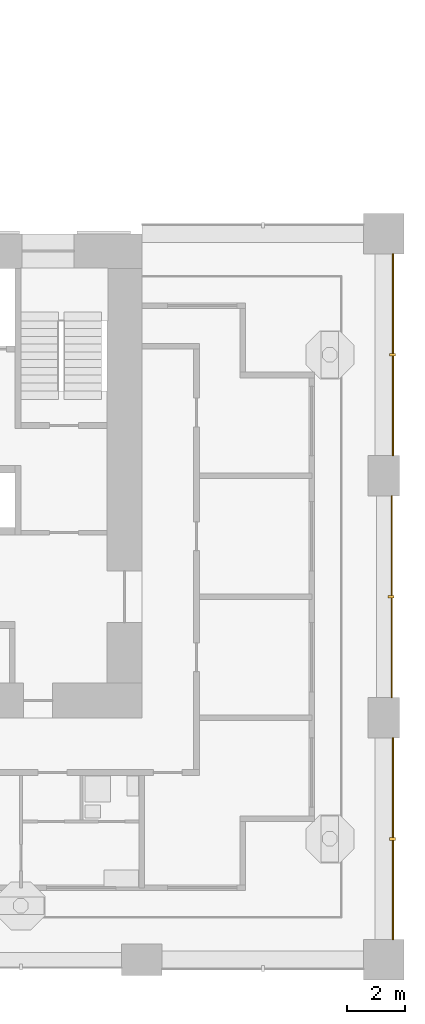
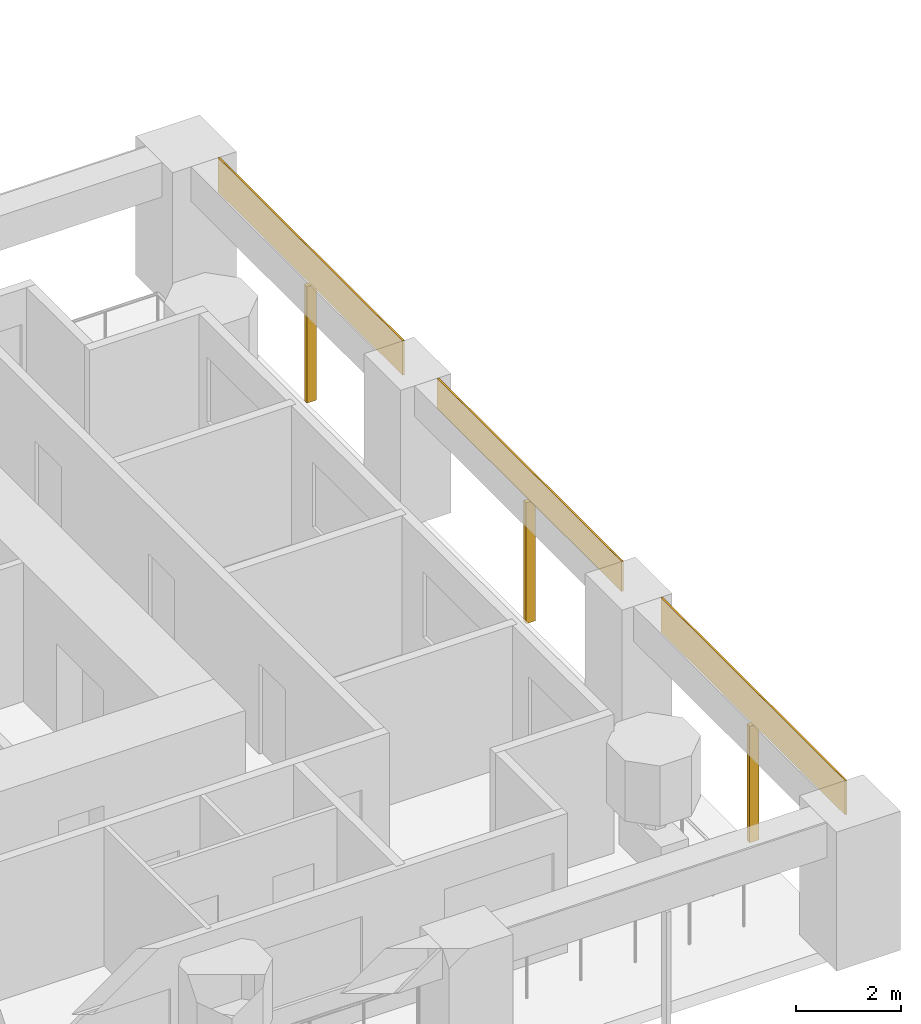
# One storey, part 16 of 19: 6 shading devices.
"""IFC4 building model written with IfcOpenShell, lengths in metres."""

import ifcopenshell
import ifcopenshell.guid

model = None  # the IFC model being written
_history = None  # IfcOwnerHistory: only IFC2X3 demands one
_inside = {}  # id of a spatial element -> (the spatial element, [elements in it])
_under = {}  # id of a project, library or spatial element -> (it, [spatial elements below it])
_declared = {}  # id of a project -> (the project, [libraries it declares])
_typed = {}  # id of a type object -> (the type object, [elements of that type])
_made_of = {}  # id of a material, layer set ... -> (it, [elements and type objects made of it])


def new_model(schema):
    """Start an empty IFC model of exactly this schema.

    Asked for "IFC4X3", IfcOpenShell would pick the latest addendum, in which some entities
    have other attributes; the version numbers below select the first issue.
    IFC2X3 requires an IfcOwnerHistory on every rooted entity: one is made here for all.
    """
    global model, _history
    if schema == "IFC4X3":
        model = ifcopenshell.file(schema_version=(4, 3, 0, 0))
    else:
        model = ifcopenshell.file(schema=schema)
    _inside.clear()
    _under.clear()
    _declared.clear()
    _typed.clear()
    _made_of.clear()
    _history = None
    if model.schema == "IFC2X3":
        org = make("IfcOrganization", Name="unknown")
        user = make(
            "IfcPersonAndOrganization",
            ThePerson=make("IfcPerson", FamilyName="unknown"),
            TheOrganization=org,
        )
        app = make(
            "IfcApplication",
            ApplicationDeveloper=org,
            Version="unknown",
            ApplicationFullName="unknown",
            ApplicationIdentifier="unknown",
        )
        _history = make(
            "IfcOwnerHistory",
            OwningUser=user,
            OwningApplication=app,
            ChangeAction="ADDED",
            CreationDate=0,
        )
    return model


def make(cls, **values):
    """One entity of the class cls with the attributes given. An attribute that is None is left unset."""
    return model.create_entity(
        cls, **{name: value for name, value in values.items() if value is not None}
    )


def rooted(cls, **values):
    """An entity with a GlobalId (a new one), such as an element, a storey or a relation."""
    return make(cls, GlobalId=ifcopenshell.guid.new(), OwnerHistory=_history, **values)


def si_unit(unit_type, name, prefix=None):
    """IfcSIUnit, for example si_unit("LENGTHUNIT", "METRE", prefix="MILLI")."""
    return make("IfcSIUnit", UnitType=unit_type, Prefix=prefix, Name=name)


def assignment(units):
    """IfcUnitAssignment: the units of a project."""
    return None if units is None else make("IfcUnitAssignment", Units=units)


def point(xyz):
    """IfcCartesianPoint."""
    return None if xyz is None else make("IfcCartesianPoint", Coordinates=xyz)


def direction(xyz):
    """IfcDirection."""
    return None if xyz is None else make("IfcDirection", DirectionRatios=xyz)


def frame(location, z_axis=None, x_axis=None):
    """IfcAxis2Placement3D, a coordinate frame: its origin and axes. An axis left out is left unset."""
    return make(
        "IfcAxis2Placement3D",
        Location=point(location),
        Axis=direction(z_axis),
        RefDirection=direction(x_axis),
    )


def frame_2d(location, x_axis=None):
    """IfcAxis2Placement2D, a coordinate frame in the plane: its origin and x axis."""
    return make(
        "IfcAxis2Placement2D", Location=point(location), RefDirection=direction(x_axis)
    )


def origin():
    """The frame at (0, 0, 0) with its axes left unset."""
    return frame((0.0, 0.0, 0.0))


def origin_2d():
    """The frame at (0, 0) in the plane with its x axis left unset."""
    return frame_2d((0.0, 0.0))


def place(relative_to, where):
    """IfcLocalPlacement: puts the frame where relative to a parent placement (None: the world)."""
    return make(
        "IfcLocalPlacement", PlacementRelTo=relative_to, RelativePlacement=where
    )


def context(
    kind, dimensions, precision=None, world=None, true_north=None, identifier=None
):
    """IfcGeometricRepresentationContext, for example the 3D "Model" context."""
    return make(
        "IfcGeometricRepresentationContext",
        ContextIdentifier=identifier,
        ContextType=kind,
        CoordinateSpaceDimension=dimensions,
        Precision=precision,
        WorldCoordinateSystem=world,
        TrueNorth=true_north,
    )


def subcontext(parent, identifier, kind, view, scale=None):
    """IfcGeometricRepresentationSubContext, for example "Body" below "Model"."""
    return make(
        "IfcGeometricRepresentationSubContext",
        ContextIdentifier=identifier,
        ContextType=kind,
        ParentContext=parent,
        TargetScale=scale,
        TargetView=view,
    )


def project(units=None, contexts=None):
    """IfcProject with its units and contexts."""
    return rooted(
        "IfcProject",
        Name="project",
        RepresentationContexts=contexts,
        UnitsInContext=assignment(units),
    )


def spatial(cls, under=None, at=None, **own):
    """A site, building, storey or space (cls), placed at a placement, below another one or the project."""
    s = rooted(cls, ObjectPlacement=at, **own)
    if under is not None:
        _under.setdefault(under.id(), (under, []))[1].append(s)
    return s


def profile(cls, at=None, kind="AREA", **sizes):
    """A parametric profile (cls). Its sizes go by their IFC names, for example OverallWidth=200.0."""
    return make(cls, ProfileType=kind, Position=at, **sizes)


def rectangle(**sizes):
    """IfcRectangleProfileDef."""
    return profile("IfcRectangleProfileDef", **sizes)


def extrude(swept, where, along, depth):
    """IfcExtrudedAreaSolid: the profile swept, set in the frame where, extruded along a direction by depth."""
    return make(
        "IfcExtrudedAreaSolid",
        SweptArea=swept,
        Position=where,
        ExtrudedDirection=direction(along),
        Depth=depth,
    )


def shape(context_of_items, identifier, shape_type, items):
    """IfcShapeRepresentation: the items that make up one representation, for example the "Body"."""
    return make(
        "IfcShapeRepresentation",
        ContextOfItems=context_of_items,
        RepresentationIdentifier=identifier,
        RepresentationType=shape_type,
        Items=items,
    )


def material(Name=None, Category=None):
    """IfcMaterial."""
    return make("IfcMaterial", Name=Name, Category=Category)


def layer(
    of_material, thickness, ventilated=None, Name=None, Category=None, Priority=None
):
    """IfcMaterialLayer: one layer of a wall or slab, of a material (None: an air gap)."""
    return make(
        "IfcMaterialLayer",
        Material=of_material,
        LayerThickness=thickness,
        IsVentilated=ventilated,
        Name=Name,
        Category=Category,
        Priority=Priority,
    )


def layer_set(layers, Name=None):
    """IfcMaterialLayerSet."""
    return make("IfcMaterialLayerSet", MaterialLayers=layers, LayerSetName=Name)


def material_profile(
    of_material, cross_section, Name=None, Category=None, Priority=None
):
    """IfcMaterialProfile: a cross section and its material."""
    return make(
        "IfcMaterialProfile",
        Name=Name,
        Material=of_material,
        Profile=cross_section,
        Priority=Priority,
        Category=Category,
    )


def profile_set(profiles, Name=None, composite=None):
    """IfcMaterialProfileSet."""
    return make(
        "IfcMaterialProfileSet",
        Name=Name,
        MaterialProfiles=profiles,
        CompositeProfile=composite,
    )


def made_of(thing, what):
    """Note that an element or type object is made of a material, layer set ...; save() writes the relation."""
    if what is not None:
        _made_of.setdefault(what.id(), (what, []))[1].append(thing)
    return thing


def type_object(cls, material=None, **own):
    """A type object (cls), such as IfcWallType, which elements share."""
    return made_of(rooted(cls, **own), material)


def element(
    cls,
    number,
    at=None,
    inside=None,
    cuts=None,
    type_object=None,
    material=None,
    context=None,
    identifier="Body",
    shape_type=None,
    held_by="IfcProductDefinitionShape",
    body=None,
    shapes=None,
    **own,
):
    """One element of the class cls, such as IfcWall. Its Tag is "e" and its number.

    at: its placement. inside: the storey or other place that contains it. cuts: it is an
    opening in that element (IfcRelVoidsElement). A single representation is given by context,
    identifier, shape_type and body (its items); several are given by shapes. held_by: the class
    of the entity that holds the representations. save() writes the other relations.
    """
    e = rooted(cls, Tag="e%d" % number, ObjectPlacement=at, **own)
    if body is not None:
        shapes = [shape(context, identifier, shape_type, body)]
    if shapes is not None:
        e.Representation = make(held_by, Representations=shapes)
    if inside is not None:
        _inside.setdefault(inside.id(), (inside, []))[1].append(e)
    if cuts is not None:
        rooted(
            "IfcRelVoidsElement", RelatingBuildingElement=cuts, RelatedOpeningElement=e
        )
    if type_object is not None:
        _typed.setdefault(type_object.id(), (type_object, []))[1].append(e)
    return made_of(e, material)


def aggregate(whole, parts):
    """IfcRelAggregates: a whole, such as a stair, and the parts it consists of."""
    return rooted("IfcRelAggregates", RelatingObject=whole, RelatedObjects=parts)


def save(model, path):
    """Write the relations noted so far, then the file.

    IfcRelAggregates (storeys below a building ...), IfcRelContainedInSpatialStructure (elements
    in a storey), IfcRelDefinesByType, IfcRelAssociatesMaterial and IfcRelDeclares: one each for
    every whole, place, type object, material and project.
    """
    for whole, parts in _under.values():
        aggregate(whole, parts)
    for where, things in _inside.values():
        rooted(
            "IfcRelContainedInSpatialStructure",
            RelatedElements=things,
            RelatingStructure=where,
        )
    for kind, things in _typed.values():
        rooted("IfcRelDefinesByType", RelatedObjects=things, RelatingType=kind)
    for what, things in _made_of.values():
        rooted("IfcRelAssociatesMaterial", RelatedObjects=things, RelatingMaterial=what)
    for by, libraries in _declared.values():
        rooted("IfcRelDeclares", RelatingContext=by, RelatedDefinitions=libraries)
    model.write(path)


model = new_model("IFC4")

# Units and contexts
model_context = context("Model", 3, precision=1e-05, world=origin(), true_north=direction((0.0, 1.0)))
body_context = subcontext(model_context, "Body", "Model", "MODEL_VIEW")
ifc_project = project(units=[si_unit("LENGTHUNIT", "METRE"), si_unit("AREAUNIT", "SQUARE_METRE"), si_unit("VOLUMEUNIT", "CUBIC_METRE"), si_unit("PLANEANGLEUNIT", "RADIAN"), si_unit("MASSUNIT", "GRAM", prefix="KILO")], contexts=[model_context])

# Site, building, storey
site_placement = place(None, origin())
site = spatial("IfcSite", under=ifc_project, at=site_placement, CompositionType="ELEMENT")
building_placement = place(site_placement, origin())
building = spatial("IfcBuilding", under=site, at=building_placement, Name="Vermilion Gate Residences", CompositionType="ELEMENT")
storey_placement = place(building_placement, frame((0.0, 0.0, 28.699951171875)))
storey = spatial("IfcBuildingStorey", under=building, at=storey_placement, Name="L05", CompositionType="ELEMENT", Elevation=28.699951171875)

# Shading devices
ifc_material_1 = material(Name="Perforated terracotta", Category="masonry")
ifc_layer = layer(ifc_material_1, 0.0400390625)
ifc_layer_set = layer_set([ifc_layer], Name="PERFORATED TERRACOTTA SCREEN 40")
shading_device_type_1 = type_object("IfcShadingDeviceType", Name="PERFORATED TERRACOTTA SCREEN 40", PredefinedType="SHUTTER", material=ifc_layer_set)
shading_device_1_placement = place(storey_placement, frame((67.52001953125, 4.199951171875, 2.419921875), z_axis=(0.0, 0.0, 1.0), x_axis=(0.0, 1.0, 0.0)))
element("IfcShadingDevice", 1, at=shading_device_1_placement, inside=storey, type_object=shading_device_type_1, Name="SCREEN", PredefinedType="SHUTTER", context=body_context, shape_type="SweptSolid", body=[
    extrude(rectangle(XDim=7.0, YDim=0.0400390625, at=origin_2d()), origin(), (0.0, 0.0, 1.0), 0.800048828125),
])
shading_device_2_placement = place(storey_placement, frame((67.469970703125, 12.60009765625, 2.52001953125), z_axis=(0.0, 0.0, 1.0), x_axis=(0.0, 1.0, 0.0)))
element("IfcShadingDevice", 2, at=shading_device_2_placement, inside=storey, type_object=shading_device_type_1, Name="SCREEN", PredefinedType="SHUTTER", context=body_context, shape_type="SweptSolid", body=[
    extrude(rectangle(XDim=7.0, YDim=0.0400390625, at=origin_2d()), origin(), (0.0, 0.0, 1.0), 0.699951171875),
])
shading_device_3_placement = place(storey_placement, frame((67.52001953125, 21.0, 2.419921875), z_axis=(0.0, 0.0, 1.0), x_axis=(0.0, 1.0, 0.0)))
element("IfcShadingDevice", 3, at=shading_device_3_placement, inside=storey, type_object=shading_device_type_1, Name="SCREEN", PredefinedType="SHUTTER", context=body_context, shape_type="SweptSolid", body=[
    extrude(rectangle(XDim=7.0, YDim=0.0400390625, at=origin_2d()), origin(), (0.0, 0.0, 1.0), 0.800048828125),
])
ifc_material_2 = material(Name="Extruded terracotta", Category="masonry")
ifc_material_profile = material_profile(ifc_material_2, rectangle(XDim=0.199951171875, YDim=0.10009765625, at=origin_2d()), Name="BAGUETTE 100 X 200")
ifc_profile_set = profile_set([ifc_material_profile], Name="Extruded terracotta")
shading_device_type_2 = type_object("IfcShadingDeviceType", Name="TERRACOTTA BAGUETTE 100 X 200", PredefinedType="JALOUSIE", material=ifc_profile_set)
shading_device_4_placement = place(storey_placement, frame((67.5, 4.199951171875, -0.280029296875), z_axis=(0.0, 0.0, 1.0), x_axis=(-1.0, 0.0, 0.0)))
element("IfcShadingDevice", 4, at=shading_device_4_placement, inside=storey, type_object=shading_device_type_2, Name="BAGUETTE", PredefinedType="JALOUSIE", context=body_context, shape_type="SweptSolid", body=[
    extrude(rectangle(XDim=0.199951171875, YDim=0.10009765625, at=origin_2d()), origin(), (0.0, 0.0, 1.0), 2.7001953125),
])
shading_device_5_placement = place(storey_placement, frame((67.449951171875, 12.60009765625, -0.280029296875), z_axis=(0.0, 0.0, 1.0), x_axis=(-1.0, 0.0, 0.0)))
element("IfcShadingDevice", 5, at=shading_device_5_placement, inside=storey, type_object=shading_device_type_2, Name="BAGUETTE", PredefinedType="JALOUSIE", context=body_context, shape_type="SweptSolid", body=[
    extrude(rectangle(XDim=0.199951171875, YDim=0.10009765625, at=origin_2d()), origin(), (0.0, 0.0, 1.0), 2.800048828125),
])
shading_device_6_placement = place(storey_placement, frame((67.5, 21.0, -0.280029296875), z_axis=(0.0, 0.0, 1.0), x_axis=(-1.0, 0.0, 0.0)))
element("IfcShadingDevice", 6, at=shading_device_6_placement, inside=storey, type_object=shading_device_type_2, Name="BAGUETTE", PredefinedType="JALOUSIE", context=body_context, shape_type="SweptSolid", body=[
    extrude(rectangle(XDim=0.199951171875, YDim=0.10009765625, at=origin_2d()), origin(), (0.0, 0.0, 1.0), 2.7001953125),
])

save(model, "model.ifc")
